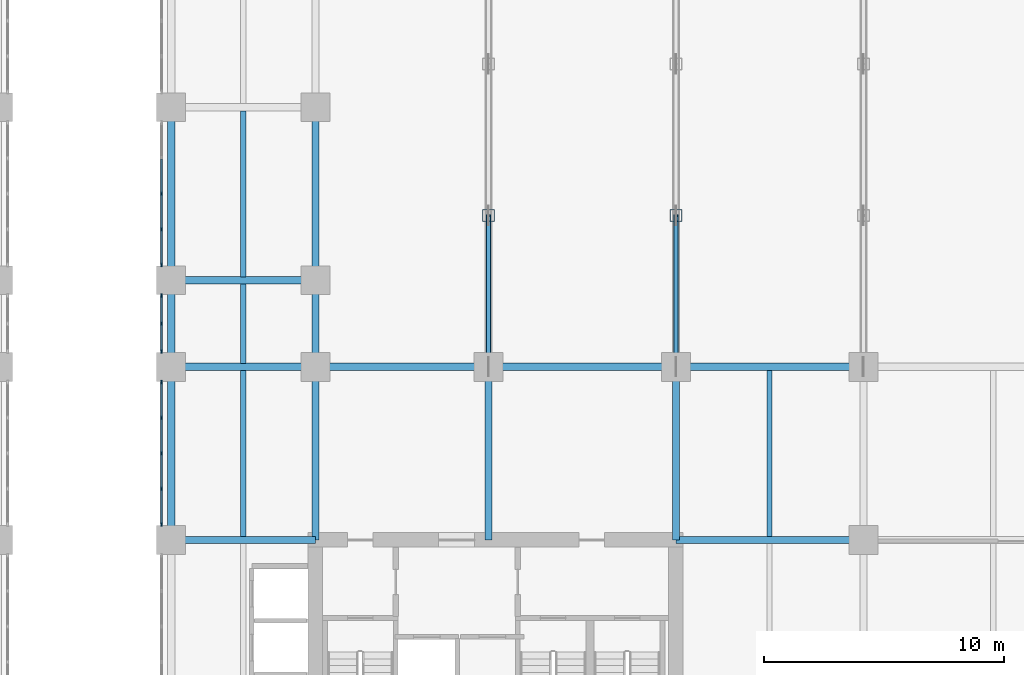
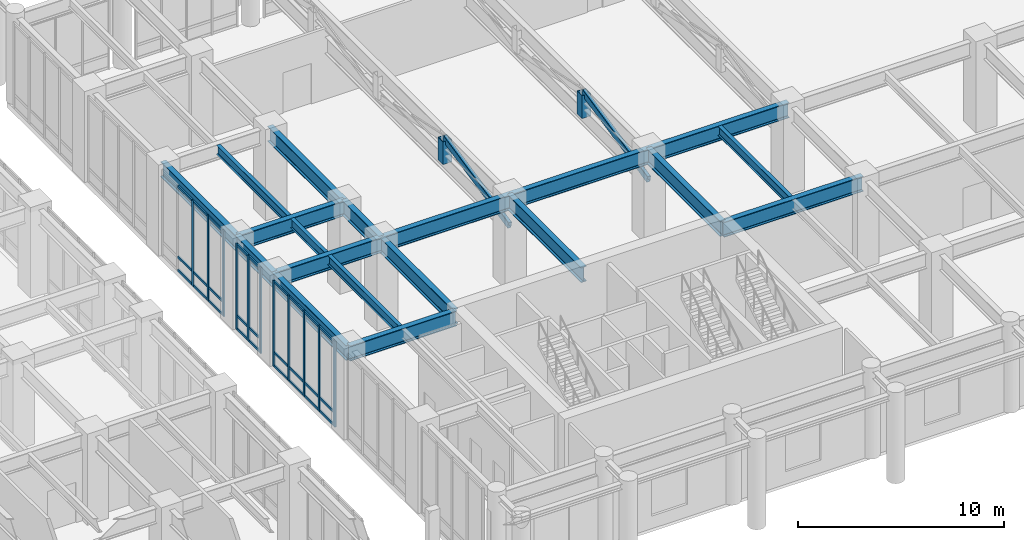
# One storey, part 5 of 24: 42 members, 19 beams, 3 elements without a shape of their own.
"""IFC4 building model written with IfcOpenShell, lengths in metres."""

from ifc_helpers import new_model, si_unit, derived_unit, direction, frame, origin, origin_2d, place, context, subcontext, project, spatial, rectangle, hollow_rectangle, i_section, extrude, source, transform, mapped, material, layer, layer_set, material_profile, profile_set, type_object, type_shapes, element, aggregate, save


model = new_model("IFC4")

# Units and contexts
model_context = context("Model", 3, precision=1e-05, world=origin(), true_north=direction((0.0, 1.0)))
body_context = subcontext(model_context, "Body", "Model", "MODEL_VIEW")
ifc_project = project(units=[si_unit("LENGTHUNIT", "METRE"), si_unit("AREAUNIT", "SQUARE_METRE"), si_unit("VOLUMEUNIT", "CUBIC_METRE"), si_unit("PLANEANGLEUNIT", "RADIAN"), si_unit("MASSUNIT", "GRAM", prefix="KILO"), si_unit("THERMODYNAMICTEMPERATUREUNIT", "KELVIN"), si_unit("POWERUNIT", "WATT"), derived_unit("THERMALTRANSMITTANCEUNIT", [(si_unit("POWERUNIT", "WATT"), 1), (si_unit("AREAUNIT", "SQUARE_METRE"), -1), (si_unit("THERMODYNAMICTEMPERATUREUNIT", "KELVIN"), -1)])], contexts=[model_context])

# Site, building, storey
site_placement = place(None, origin())
site = spatial("IfcSite", under=ifc_project, at=site_placement, CompositionType="ELEMENT")
building_placement = place(site_placement, origin())
building = spatial("IfcBuilding", under=site, at=building_placement, Name="Zahravan Archway Hotel and Residences", CompositionType="ELEMENT")
storey_placement = place(building_placement, frame((0.0, 0.0, 10.800048828125)))
storey = spatial("IfcBuildingStorey", under=building, at=storey_placement, Name="L02", CompositionType="ELEMENT", Elevation=10.800048828125)

# Beams
ifc_material_1 = material(Name="Structural Steel S355J2", Category="steel")
ifc_material_profile_1 = material_profile(ifc_material_1, i_section(OverallWidth=0.300048828125, OverallDepth=0.89990234375, WebThickness=0.0185546875, FlangeThickness=0.034912109375, FilletRadius=0.030029296875, at=origin_2d()), Name="HEB 900", Category="steel")
ifc_profile_set_1 = profile_set([ifc_material_profile_1], Name="Structural Steel S355J2")
beam_type_1 = type_object("IfcBeamType", Name="BM-PRI-HEB900", PredefinedType="BEAM", material=ifc_profile_set_1)
shared_shape_1 = source(origin(), body_context, "Body", "SweptSolid", [
    extrude(i_section(OverallWidth=0.300048828125, OverallDepth=0.89990234375, WebThickness=0.0185546875, FlangeThickness=0.034912109375, FilletRadius=0.030029296875, at=origin_2d()), origin(), (0.0, 0.0, 1.0), 7.199951171875),
])
for number, where, z_axis, x_axis, name in (
    (1, (34.800048828125, 21.60009765625, 4.64990234375), (1.0, 0.0, 0.0), (0.0, 1.0, 0.0), "L02 Primary Girder EW-32"),
    (2, (28.800048828125, 25.199951171875, 4.64990234375), (0.0, 1.0, 0.0), (-1.0, 0.0, 0.0), "L02 Primary Girder NS-99"),
    (3, (34.800048828125, 25.199951171875, 4.64990234375), (0.0, 1.0, 0.0), (-1.0, 0.0, 0.0), "L02 Primary Girder NS-104"),
):
    element("IfcBeam", number, at=place(storey_placement, frame(where, z_axis=z_axis, x_axis=x_axis)), inside=storey, type_object=beam_type_1, Name=name, PredefinedType="BEAM", context=body_context, shape_type="MappedRepresentation", body=[
        mapped(shared_shape_1, transform((0.0, 0.0, 0.0), scale=1.0)),
    ])
shared_shape_2 = source(origin(), body_context, "Body", "SweptSolid", [
    extrude(i_section(OverallWidth=0.300048828125, OverallDepth=0.89990234375, WebThickness=0.0185546875, FlangeThickness=0.034912109375, FilletRadius=0.030029296875, at=origin_2d()), origin(), (0.0, 0.0, 1.0), 7.2001953125),
])
for number, where, z_axis, x_axis, name in (
    (4, (28.800048828125, 14.39990234375, 4.64990234375), (0.0, 1.0, 0.0), (-1.0, 0.0, 0.0), "L02 Primary Girder NS-97"),
    (5, (34.800048828125, 14.39990234375, 4.64990234375), (0.0, 1.0, 0.0), (-1.0, 0.0, 0.0), "L02 Primary Girder NS-102"),
    (6, (42.0, 14.39990234375, 4.64990234375), (0.0, 1.0, 0.0), (-1.0, 0.0, 0.0), "L02 Primary Girder NS-107"),
    (7, (49.800048828125, 14.39990234375, 4.64990234375), (0.0, 1.0, 0.0), (-1.0, 0.0, 0.0), "L02 Primary Girder NS-108"),
):
    element("IfcBeam", number, at=place(storey_placement, frame(where, z_axis=z_axis, x_axis=x_axis)), inside=storey, type_object=beam_type_1, Name=name, PredefinedType="BEAM", context=body_context, shape_type="MappedRepresentation", body=[
        mapped(shared_shape_2, transform((0.0, 0.0, 0.0), scale=1.0)),
    ])
shared_shape_3 = source(origin(), body_context, "Body", "SweptSolid", [
    extrude(i_section(OverallWidth=0.300048828125, OverallDepth=0.89990234375, WebThickness=0.0185546875, FlangeThickness=0.034912109375, FilletRadius=0.030029296875, at=origin_2d()), origin(), (0.0, 0.0, 1.0), 6.0),
])
for number, where, z_axis, x_axis, name in (
    (8, (28.800048828125, 14.39990234375, 4.64990234375), (1.0, 0.0, 0.0), (0.0, 1.0, 0.0), "L02 Primary Girder EW-23"),
    (9, (28.800048828125, 21.60009765625, 4.64990234375), (1.0, 0.0, 0.0), (0.0, 1.0, 0.0), "L02 Primary Girder EW-31"),
    (10, (28.800048828125, 25.199951171875, 4.64990234375), (1.0, 0.0, 0.0), (0.0, 1.0, 0.0), "L02 Primary Girder EW-40"),
):
    element("IfcBeam", number, at=place(storey_placement, frame(where, z_axis=z_axis, x_axis=x_axis)), inside=storey, type_object=beam_type_1, Name=name, PredefinedType="BEAM", context=body_context, shape_type="MappedRepresentation", body=[
        mapped(shared_shape_3, transform((0.0, 0.0, 0.0), scale=1.0)),
    ])
shared_shape_4 = source(origin(), body_context, "Body", "SweptSolid", [
    extrude(i_section(OverallWidth=0.300048828125, OverallDepth=0.89990234375, WebThickness=0.0185546875, FlangeThickness=0.034912109375, FilletRadius=0.030029296875, at=origin_2d()), origin(), (0.0, 0.0, 1.0), 7.800048828125),
])
for number, where, z_axis, x_axis, name in (
    (11, (49.800048828125, 14.39990234375, 4.64990234375), (1.0, 0.0, 0.0), (0.0, 1.0, 0.0), "L02 Primary Girder EW-24"),
    (12, (42.0, 21.60009765625, 4.64990234375), (1.0, 0.0, 0.0), (0.0, 1.0, 0.0), "L02 Primary Girder EW-33"),
    (13, (49.800048828125, 21.60009765625, 4.64990234375), (1.0, 0.0, 0.0), (0.0, 1.0, 0.0), "L02 Primary Girder EW-34"),
):
    element("IfcBeam", number, at=place(storey_placement, frame(where, z_axis=z_axis, x_axis=x_axis)), inside=storey, type_object=beam_type_1, Name=name, PredefinedType="BEAM", context=body_context, shape_type="MappedRepresentation", body=[
        mapped(shared_shape_4, transform((0.0, 0.0, 0.0), scale=1.0)),
    ])
shared_shape_5 = source(origin(), body_context, "Body", "SweptSolid", [
    extrude(i_section(OverallWidth=0.300048828125, OverallDepth=0.89990234375, WebThickness=0.0185546875, FlangeThickness=0.034912109375, FilletRadius=0.030029296875, at=origin_2d()), origin(), (0.0, 0.0, 1.0), 3.599853515625),
])
for number, where, z_axis, x_axis, name in (
    (14, (28.800048828125, 21.60009765625, 4.64990234375), (0.0, 1.0, 0.0), (-1.0, 0.0, 0.0), "L02 Primary Girder NS-98"),
    (15, (34.800048828125, 21.60009765625, 4.64990234375), (0.0, 1.0, 0.0), (-1.0, 0.0, 0.0), "L02 Primary Girder NS-103"),
):
    element("IfcBeam", number, at=place(storey_placement, frame(where, z_axis=z_axis, x_axis=x_axis)), inside=storey, type_object=beam_type_1, Name=name, PredefinedType="BEAM", context=body_context, shape_type="MappedRepresentation", body=[
        mapped(shared_shape_5, transform((0.0, 0.0, 0.0), scale=1.0)),
    ])
ifc_material_2 = material(Name="Structural Steel S355JR", Category="steel")
ifc_material_profile_2 = material_profile(ifc_material_2, i_section(OverallWidth=0.2099609375, OverallDepth=0.550048828125, WebThickness=0.010986328125, FlangeThickness=0.01708984375, FilletRadius=0.02392578125, at=origin_2d()), Name="IPE 550", Category="steel")
ifc_profile_set_2 = profile_set([ifc_material_profile_2], Name="Structural Steel S355JR")
beam_type_2 = type_object("IfcBeamType", Name="BM-JST-IPE550", PredefinedType="JOIST", material=ifc_profile_set_2)
shared_shape_6 = source(origin(), body_context, "Body", "SweptSolid", [
    extrude(i_section(OverallWidth=0.2099609375, OverallDepth=0.550048828125, WebThickness=0.010986328125, FlangeThickness=0.01708984375, FilletRadius=0.02392578125, at=origin_2d()), origin(), (0.0, 0.0, 1.0), 6.904052734375),
])
type_shapes(beam_type_2, [shared_shape_6])
beam_1_placement = place(storey_placement, frame((31.800048828125, 25.347900390625, 4.824951171875), z_axis=(0.0, 1.0, 0.0), x_axis=(-1.0, 0.0, 0.0)))
element("IfcBeam", 16, at=beam_1_placement, inside=storey, type_object=beam_type_2, Name="L02 Composite Floor Joist 29", PredefinedType="JOIST", context=body_context, shape_type="MappedRepresentation", body=[
    mapped(shared_shape_6, transform((0.0, 0.0, 0.0), scale=1.0)),
])
shared_shape_7 = source(origin(), body_context, "Body", "SweptSolid", [
    extrude(i_section(OverallWidth=0.2099609375, OverallDepth=0.550048828125, WebThickness=0.010986328125, FlangeThickness=0.01708984375, FilletRadius=0.02392578125, at=origin_2d()), origin(), (0.0, 0.0, 1.0), 6.90380859375),
])
for number, where, z_axis, x_axis, name in (
    (17, (31.800048828125, 14.548095703125, 4.824951171875), (0.0, 1.0, 0.0), (-1.0, 0.0, 0.0), "L02 Composite Floor Joist 21"),
    (18, (53.699951171875, 14.548095703125, 4.824951171875), (0.0, 1.0, 0.0), (-1.0, 0.0, 0.0), "L02 Composite Floor Joist 22"),
):
    element("IfcBeam", number, at=place(storey_placement, frame(where, z_axis=z_axis, x_axis=x_axis)), inside=storey, type_object=beam_type_2, Name=name, PredefinedType="JOIST", context=body_context, shape_type="MappedRepresentation", body=[
        mapped(shared_shape_7, transform((0.0, 0.0, 0.0), scale=1.0)),
    ])
shared_shape_8 = source(origin(), body_context, "Body", "SweptSolid", [
    extrude(i_section(OverallWidth=0.2099609375, OverallDepth=0.550048828125, WebThickness=0.010986328125, FlangeThickness=0.01708984375, FilletRadius=0.02392578125, at=origin_2d()), origin(), (0.0, 0.0, 1.0), 3.303955078125),
])
beam_2_placement = place(storey_placement, frame((31.800048828125, 21.748046875, 4.824951171875), z_axis=(0.0, 1.0, 0.0), x_axis=(-1.0, 0.0, 0.0)))
element("IfcBeam", 19, at=beam_2_placement, inside=storey, type_object=beam_type_2, Name="L02 Composite Floor Joist 27", PredefinedType="JOIST", context=body_context, shape_type="MappedRepresentation", body=[
    mapped(shared_shape_8, transform((0.0, 0.0, 0.0), scale=1.0)),
])

# Members
ifc_material_3 = material(Name="Structural Steel S460M", Category="steel")
ifc_material_profile_3 = material_profile(ifc_material_3, hollow_rectangle(XDim=0.5, YDim=0.5, WallThickness=0.02490234375, at=origin_2d()), Name="SHS 500x500x25", Category="steel")
ifc_profile_set_3 = profile_set([ifc_material_profile_3], Name="Structural Steel S460M")
member_type_1 = type_object("IfcMemberType", Name="MEM-POST-SHS500", PredefinedType="POST", material=ifc_profile_set_3)
shared_shape_9 = source(origin(), body_context, "Body", "SweptSolid", [
    extrude(hollow_rectangle(XDim=0.5, YDim=0.5, WallThickness=0.02490234375, at=origin_2d()), origin(), (0.0, 0.0, 1.0), 1.35009765625),
])
type_shapes(member_type_1, [shared_shape_9])
for number, where, z_axis, x_axis, name in (
    (20, (42.0, 27.89990234375, 3.199951171875), (0.0, 0.0, 1.0), (1.0, 0.0, 0.0), "L02 Long-Span Truss 1 Post 1"),
    (21, (49.800048828125, 27.89990234375, 3.199951171875), (0.0, 0.0, 1.0), (1.0, 0.0, 0.0), "L02 Long-Span Truss 2 Post 1"),
):
    element("IfcMember", number, at=place(storey_placement, frame(where, z_axis=z_axis, x_axis=x_axis)), inside=storey, type_object=member_type_1, Name=name, PredefinedType="POST", context=body_context, shape_type="MappedRepresentation", body=[
        mapped(shared_shape_9, transform((0.0, 0.0, 0.0), scale=1.0)),
    ])
ifc_material_profile_4 = material_profile(ifc_material_1, hollow_rectangle(XDim=0.199951171875, YDim=0.39990234375, WallThickness=0.01611328125, InnerFilletRadius=0.01611328125, OuterFilletRadius=0.031982421875, at=origin_2d()), Name="RHS 400x200x16", Category="steel")
ifc_profile_set_4 = profile_set([ifc_material_profile_4], Name="Structural Steel S355J2")
member_type_2 = type_object("IfcMemberType", Name="MEM-DIAG-RHS400", PredefinedType="BRACE", material=ifc_profile_set_4)
shared_shape_10 = source(origin(), body_context, "Body", "SweptSolid", [
    extrude(hollow_rectangle(XDim=0.199951171875, YDim=0.39990234375, WallThickness=0.01611328125, InnerFilletRadius=0.01611328125, OuterFilletRadius=0.031982421875, at=origin_2d()), origin(), (0.0, 0.0, 1.0), 6.44287109375),
])
type_shapes(member_type_2, [shared_shape_10])
for number, where, z_axis, x_axis, name in (
    (22, (42.0, 21.60009765625, 3.199951171875), (0.0, 0.977797977573, 0.209549791349), (-1.0, 0.0, 0.0), "L02 Long-Span Truss 1 Diagonal 1"),
    (23, (49.800048828125, 21.60009765625, 3.199951171875), (0.0, 0.977797977573, 0.209549791349), (-1.0, 0.0, 0.0), "L02 Long-Span Truss 2 Diagonal 1"),
):
    element("IfcMember", number, at=place(storey_placement, frame(where, z_axis=z_axis, x_axis=x_axis)), inside=storey, type_object=member_type_2, Name=name, PredefinedType="BRACE", context=body_context, shape_type="MappedRepresentation", body=[
        mapped(shared_shape_10, transform((0.0, 0.0, 0.0), scale=1.0)),
    ])

# Curtain wall, members
ifc_material_4 = material(Name="Bronze-Anodized Unitised Aluminium & Low-E Glass", Category="aluminium")
ifc_layer = layer(ifc_material_4, 0.179931640625, Name="Bronze-Anodized Unitised Aluminium & Low-E Glass", Category="aluminium")
ifc_layer_set = layer_set([ifc_layer], Name="Bronze-Anodized Unitised Aluminium & Low-E Glass")
curtain_wall_type = type_object("IfcCurtainWallType", Name="CW-POD-ARCH", PredefinedType="NOTDEFINED", material=ifc_layer_set)
curtain_wall_1_placement = place(storey_placement, origin())
curtain_wall_1 = element("IfcCurtainWall", 24, at=curtain_wall_1_placement, inside=storey, type_object=curtain_wall_type, Name="L02 Curtain Wall CW-PORTE-L02-5", PredefinedType="NOTDEFINED")
ifc_material_5 = material(Name="Bronze-Anodized Extruded Aluminium", Category="aluminium")
ifc_material_profile_5 = material_profile(ifc_material_5, rectangle(XDim=0.080078125, YDim=0.139892578125, at=origin_2d()), Name="TRN 80x140", Category="aluminium")
ifc_profile_set_5 = profile_set([ifc_material_profile_5], Name="Bronze-Anodized Extruded Aluminium")
member_type_3 = type_object("IfcMemberType", Name="CWM-TRN-140", PredefinedType="USERDEFINED", material=ifc_profile_set_5)
shared_shape_11 = source(origin(), body_context, "Body", "SweptSolid", [
    extrude(rectangle(XDim=0.080078125, YDim=0.139892578125, at=origin_2d()), origin(), (0.0, 0.0, 1.0), 1.397216796875),
])
member_1_placement = place(storey_placement, frame((28.39990234375, 28.840087890625, 0.070068359375), z_axis=(0.0, 1.0, 0.0), x_axis=(-1.0, 0.0, 0.0)))
member_1 = element("IfcMember", 25, at=member_1_placement, type_object=member_type_3, Name="CW-PORTE-L02-5 Transom 2-1", ObjectType="TRANSOM", PredefinedType="USERDEFINED", context=body_context, shape_type="MappedRepresentation", body=[
    mapped(shared_shape_11, transform((0.0, 0.0, 0.0), scale=1.0)),
])
member_2_placement = place(storey_placement, frame((28.39990234375, 28.840087890625, 0.849853515625), z_axis=(0.0, 1.0, 0.0), x_axis=(-1.0, 0.0, 0.0)))
member_2 = element("IfcMember", 26, at=member_2_placement, type_object=member_type_3, Name="CW-PORTE-L02-5 Transom 2-2", ObjectType="TRANSOM", PredefinedType="USERDEFINED", context=body_context, shape_type="MappedRepresentation", body=[
    mapped(shared_shape_11, transform((0.0, 0.0, 0.0), scale=1.0)),
])
member_3_placement = place(storey_placement, frame((28.39990234375, 28.840087890625, 5.030029296875), z_axis=(0.0, 1.0, 0.0), x_axis=(-1.0, 0.0, 0.0)))
member_3 = element("IfcMember", 27, at=member_3_placement, type_object=member_type_3, Name="CW-PORTE-L02-5 Transom 2-3", ObjectType="TRANSOM", PredefinedType="USERDEFINED", context=body_context, shape_type="MappedRepresentation", body=[
    mapped(shared_shape_11, transform((0.0, 0.0, 0.0), scale=1.0)),
])

curtain_wall_2_placement = place(storey_placement, origin())
curtain_wall_2 = element("IfcCurtainWall", 28, at=curtain_wall_2_placement, inside=storey, type_object=curtain_wall_type, Name="L02 Curtain Wall CW-PORTE-L02-3", PredefinedType="NOTDEFINED")
shared_shape_12 = source(origin(), body_context, "Body", "SweptSolid", [
    extrude(rectangle(XDim=0.080078125, YDim=0.139892578125, at=origin_2d()), origin(), (0.0, 0.0, 1.0), 1.3974609375),
])
member_4_placement = place(storey_placement, frame((28.39990234375, 15.085205078125, 0.070068359375), z_axis=(0.0, 1.0, 0.0), x_axis=(-1.0, 0.0, 0.0)))
member_4 = element("IfcMember", 29, at=member_4_placement, type_object=member_type_3, Name="CW-PORTE-L02-3 Transom 0-1", ObjectType="TRANSOM", PredefinedType="USERDEFINED", context=body_context, shape_type="MappedRepresentation", body=[
    mapped(shared_shape_12, transform((0.0, 0.0, 0.0), scale=1.0)),
])
member_5_placement = place(storey_placement, frame((28.39990234375, 15.085205078125, 0.849853515625), z_axis=(0.0, 1.0, 0.0), x_axis=(-1.0, 0.0, 0.0)))
member_5 = element("IfcMember", 30, at=member_5_placement, type_object=member_type_3, Name="CW-PORTE-L02-3 Transom 0-2", ObjectType="TRANSOM", PredefinedType="USERDEFINED", context=body_context, shape_type="MappedRepresentation", body=[
    mapped(shared_shape_12, transform((0.0, 0.0, 0.0), scale=1.0)),
])
member_6_placement = place(storey_placement, frame((28.39990234375, 15.085205078125, 5.030029296875), z_axis=(0.0, 1.0, 0.0), x_axis=(-1.0, 0.0, 0.0)))
member_6 = element("IfcMember", 31, at=member_6_placement, type_object=member_type_3, Name="CW-PORTE-L02-3 Transom 0-3", ObjectType="TRANSOM", PredefinedType="USERDEFINED", context=body_context, shape_type="MappedRepresentation", body=[
    mapped(shared_shape_12, transform((0.0, 0.0, 0.0), scale=1.0)),
])
member_7_placement = place(storey_placement, frame((28.39990234375, 16.5625, 0.070068359375), z_axis=(0.0, 1.0, 0.0), x_axis=(-1.0, 0.0, 0.0)))
member_7 = element("IfcMember", 32, at=member_7_placement, type_object=member_type_3, Name="CW-PORTE-L02-3 Transom 1-1", ObjectType="TRANSOM", PredefinedType="USERDEFINED", context=body_context, shape_type="MappedRepresentation", body=[
    mapped(shared_shape_12, transform((0.0, 0.0, 0.0), scale=1.0)),
])
member_8_placement = place(storey_placement, frame((28.39990234375, 16.5625, 0.849853515625), z_axis=(0.0, 1.0, 0.0), x_axis=(-1.0, 0.0, 0.0)))
member_8 = element("IfcMember", 33, at=member_8_placement, type_object=member_type_3, Name="CW-PORTE-L02-3 Transom 1-2", ObjectType="TRANSOM", PredefinedType="USERDEFINED", context=body_context, shape_type="MappedRepresentation", body=[
    mapped(shared_shape_12, transform((0.0, 0.0, 0.0), scale=1.0)),
])
member_9_placement = place(storey_placement, frame((28.39990234375, 16.5625, 5.030029296875), z_axis=(0.0, 1.0, 0.0), x_axis=(-1.0, 0.0, 0.0)))
member_9 = element("IfcMember", 34, at=member_9_placement, type_object=member_type_3, Name="CW-PORTE-L02-3 Transom 1-3", ObjectType="TRANSOM", PredefinedType="USERDEFINED", context=body_context, shape_type="MappedRepresentation", body=[
    mapped(shared_shape_12, transform((0.0, 0.0, 0.0), scale=1.0)),
])
member_10_placement = place(storey_placement, frame((28.39990234375, 18.0400390625, 0.070068359375), z_axis=(0.0, 1.0, 0.0), x_axis=(-1.0, 0.0, 0.0)))
member_10 = element("IfcMember", 35, at=member_10_placement, type_object=member_type_3, Name="CW-PORTE-L02-3 Transom 2-1", ObjectType="TRANSOM", PredefinedType="USERDEFINED", context=body_context, shape_type="MappedRepresentation", body=[
    mapped(shared_shape_12, transform((0.0, 0.0, 0.0), scale=1.0)),
])
member_11_placement = place(storey_placement, frame((28.39990234375, 18.0400390625, 0.849853515625), z_axis=(0.0, 1.0, 0.0), x_axis=(-1.0, 0.0, 0.0)))
member_11 = element("IfcMember", 36, at=member_11_placement, type_object=member_type_3, Name="CW-PORTE-L02-3 Transom 2-2", ObjectType="TRANSOM", PredefinedType="USERDEFINED", context=body_context, shape_type="MappedRepresentation", body=[
    mapped(shared_shape_12, transform((0.0, 0.0, 0.0), scale=1.0)),
])
member_12_placement = place(storey_placement, frame((28.39990234375, 18.0400390625, 5.030029296875), z_axis=(0.0, 1.0, 0.0), x_axis=(-1.0, 0.0, 0.0)))
member_12 = element("IfcMember", 37, at=member_12_placement, type_object=member_type_3, Name="CW-PORTE-L02-3 Transom 2-3", ObjectType="TRANSOM", PredefinedType="USERDEFINED", context=body_context, shape_type="MappedRepresentation", body=[
    mapped(shared_shape_12, transform((0.0, 0.0, 0.0), scale=1.0)),
])
member_13_placement = place(storey_placement, frame((28.39990234375, 19.517333984375, 0.070068359375), z_axis=(0.0, 1.0, 0.0), x_axis=(-1.0, 0.0, 0.0)))
member_13 = element("IfcMember", 38, at=member_13_placement, type_object=member_type_3, Name="CW-PORTE-L02-3 Transom 3-1", ObjectType="TRANSOM", PredefinedType="USERDEFINED", context=body_context, shape_type="MappedRepresentation", body=[
    mapped(shared_shape_12, transform((0.0, 0.0, 0.0), scale=1.0)),
])
member_14_placement = place(storey_placement, frame((28.39990234375, 19.517333984375, 0.849853515625), z_axis=(0.0, 1.0, 0.0), x_axis=(-1.0, 0.0, 0.0)))
member_14 = element("IfcMember", 39, at=member_14_placement, type_object=member_type_3, Name="CW-PORTE-L02-3 Transom 3-2", ObjectType="TRANSOM", PredefinedType="USERDEFINED", context=body_context, shape_type="MappedRepresentation", body=[
    mapped(shared_shape_12, transform((0.0, 0.0, 0.0), scale=1.0)),
])
member_15_placement = place(storey_placement, frame((28.39990234375, 19.517333984375, 5.030029296875), z_axis=(0.0, 1.0, 0.0), x_axis=(-1.0, 0.0, 0.0)))
member_15 = element("IfcMember", 40, at=member_15_placement, type_object=member_type_3, Name="CW-PORTE-L02-3 Transom 3-3", ObjectType="TRANSOM", PredefinedType="USERDEFINED", context=body_context, shape_type="MappedRepresentation", body=[
    mapped(shared_shape_12, transform((0.0, 0.0, 0.0), scale=1.0)),
])

# Member
member_16_placement = place(storey_placement, frame((28.39990234375, 25.88525390625, 0.070068359375), z_axis=(0.0, 1.0, 0.0), x_axis=(-1.0, 0.0, 0.0)))
member_16 = element("IfcMember", 41, at=member_16_placement, type_object=member_type_3, Name="CW-PORTE-L02-5 Transom 0-1", ObjectType="TRANSOM", PredefinedType="USERDEFINED", context=body_context, shape_type="MappedRepresentation", body=[
    mapped(shared_shape_12, transform((0.0, 0.0, 0.0), scale=1.0)),
])

member_17_placement = place(storey_placement, frame((28.39990234375, 25.88525390625, 0.849853515625), z_axis=(0.0, 1.0, 0.0), x_axis=(-1.0, 0.0, 0.0)))
member_17 = element("IfcMember", 42, at=member_17_placement, type_object=member_type_3, Name="CW-PORTE-L02-5 Transom 0-2", ObjectType="TRANSOM", PredefinedType="USERDEFINED", context=body_context, shape_type="MappedRepresentation", body=[
    mapped(shared_shape_12, transform((0.0, 0.0, 0.0), scale=1.0)),
])

member_18_placement = place(storey_placement, frame((28.39990234375, 25.88525390625, 5.030029296875), z_axis=(0.0, 1.0, 0.0), x_axis=(-1.0, 0.0, 0.0)))
member_18 = element("IfcMember", 43, at=member_18_placement, type_object=member_type_3, Name="CW-PORTE-L02-5 Transom 0-3", ObjectType="TRANSOM", PredefinedType="USERDEFINED", context=body_context, shape_type="MappedRepresentation", body=[
    mapped(shared_shape_12, transform((0.0, 0.0, 0.0), scale=1.0)),
])

member_19_placement = place(storey_placement, frame((28.39990234375, 27.362548828125, 0.070068359375), z_axis=(0.0, 1.0, 0.0), x_axis=(-1.0, 0.0, 0.0)))
member_19 = element("IfcMember", 44, at=member_19_placement, type_object=member_type_3, Name="CW-PORTE-L02-5 Transom 1-1", ObjectType="TRANSOM", PredefinedType="USERDEFINED", context=body_context, shape_type="MappedRepresentation", body=[
    mapped(shared_shape_12, transform((0.0, 0.0, 0.0), scale=1.0)),
])

member_20_placement = place(storey_placement, frame((28.39990234375, 27.362548828125, 0.849853515625), z_axis=(0.0, 1.0, 0.0), x_axis=(-1.0, 0.0, 0.0)))
member_20 = element("IfcMember", 45, at=member_20_placement, type_object=member_type_3, Name="CW-PORTE-L02-5 Transom 1-2", ObjectType="TRANSOM", PredefinedType="USERDEFINED", context=body_context, shape_type="MappedRepresentation", body=[
    mapped(shared_shape_12, transform((0.0, 0.0, 0.0), scale=1.0)),
])

member_21_placement = place(storey_placement, frame((28.39990234375, 27.362548828125, 5.030029296875), z_axis=(0.0, 1.0, 0.0), x_axis=(-1.0, 0.0, 0.0)))
member_21 = element("IfcMember", 46, at=member_21_placement, type_object=member_type_3, Name="CW-PORTE-L02-5 Transom 1-3", ObjectType="TRANSOM", PredefinedType="USERDEFINED", context=body_context, shape_type="MappedRepresentation", body=[
    mapped(shared_shape_12, transform((0.0, 0.0, 0.0), scale=1.0)),
])

# Curtain wall, members
curtain_wall_3_placement = place(storey_placement, origin())
curtain_wall_3 = element("IfcCurtainWall", 47, at=curtain_wall_3_placement, inside=storey, type_object=curtain_wall_type, Name="L02 Curtain Wall CW-PORTE-L02-4", PredefinedType="NOTDEFINED")
shared_shape_13 = source(origin(), body_context, "Body", "SweptSolid", [
    extrude(rectangle(XDim=0.080078125, YDim=0.139892578125, at=origin_2d()), origin(), (0.0, 0.0, 1.0), 1.074951171875),
])
member_22_placement = place(storey_placement, frame((28.39990234375, 22.28515625, 0.070068359375), z_axis=(0.0, 1.0, 0.0), x_axis=(-1.0, 0.0, 0.0)))
member_22 = element("IfcMember", 48, at=member_22_placement, type_object=member_type_3, Name="CW-PORTE-L02-4 Transom 0-1", ObjectType="TRANSOM", PredefinedType="USERDEFINED", context=body_context, shape_type="MappedRepresentation", body=[
    mapped(shared_shape_13, transform((0.0, 0.0, 0.0), scale=1.0)),
])
member_23_placement = place(storey_placement, frame((28.39990234375, 22.28515625, 0.849853515625), z_axis=(0.0, 1.0, 0.0), x_axis=(-1.0, 0.0, 0.0)))
member_23 = element("IfcMember", 49, at=member_23_placement, type_object=member_type_3, Name="CW-PORTE-L02-4 Transom 0-2", ObjectType="TRANSOM", PredefinedType="USERDEFINED", context=body_context, shape_type="MappedRepresentation", body=[
    mapped(shared_shape_13, transform((0.0, 0.0, 0.0), scale=1.0)),
])
member_24_placement = place(storey_placement, frame((28.39990234375, 22.28515625, 5.030029296875), z_axis=(0.0, 1.0, 0.0), x_axis=(-1.0, 0.0, 0.0)))
member_24 = element("IfcMember", 50, at=member_24_placement, type_object=member_type_3, Name="CW-PORTE-L02-4 Transom 0-3", ObjectType="TRANSOM", PredefinedType="USERDEFINED", context=body_context, shape_type="MappedRepresentation", body=[
    mapped(shared_shape_13, transform((0.0, 0.0, 0.0), scale=1.0)),
])
member_25_placement = place(storey_placement, frame((28.39990234375, 23.43994140625, 0.070068359375), z_axis=(0.0, 1.0, 0.0), x_axis=(-1.0, 0.0, 0.0)))
member_25 = element("IfcMember", 51, at=member_25_placement, type_object=member_type_3, Name="CW-PORTE-L02-4 Transom 1-1", ObjectType="TRANSOM", PredefinedType="USERDEFINED", context=body_context, shape_type="MappedRepresentation", body=[
    mapped(shared_shape_13, transform((0.0, 0.0, 0.0), scale=1.0)),
])
member_26_placement = place(storey_placement, frame((28.39990234375, 23.43994140625, 0.849853515625), z_axis=(0.0, 1.0, 0.0), x_axis=(-1.0, 0.0, 0.0)))
member_26 = element("IfcMember", 52, at=member_26_placement, type_object=member_type_3, Name="CW-PORTE-L02-4 Transom 1-2", ObjectType="TRANSOM", PredefinedType="USERDEFINED", context=body_context, shape_type="MappedRepresentation", body=[
    mapped(shared_shape_13, transform((0.0, 0.0, 0.0), scale=1.0)),
])
member_27_placement = place(storey_placement, frame((28.39990234375, 23.43994140625, 5.030029296875), z_axis=(0.0, 1.0, 0.0), x_axis=(-1.0, 0.0, 0.0)))
member_27 = element("IfcMember", 53, at=member_27_placement, type_object=member_type_3, Name="CW-PORTE-L02-4 Transom 1-3", ObjectType="TRANSOM", PredefinedType="USERDEFINED", context=body_context, shape_type="MappedRepresentation", body=[
    mapped(shared_shape_13, transform((0.0, 0.0, 0.0), scale=1.0)),
])

# Member
ifc_material_profile_6 = material_profile(ifc_material_5, rectangle(XDim=0.080078125, YDim=0.159912109375, at=origin_2d()), Name="MUL 80x160", Category="aluminium")
ifc_profile_set_6 = profile_set([ifc_material_profile_6], Name="Bronze-Anodized Extruded Aluminium")
member_type_4 = type_object("IfcMemberType", Name="CWM-MUL-160", PredefinedType="MULLION", material=ifc_profile_set_6)
shared_shape_14 = source(origin(), body_context, "Body", "SweptSolid", [
    extrude(rectangle(XDim=0.080078125, YDim=0.159912109375, at=origin_2d()), origin(), (0.0, 0.0, 1.0), 5.099853515625),
])
member_28_placement = place(storey_placement, frame((28.39990234375, 15.045166015625, 0.0), z_axis=(0.0, 0.0, 1.0), x_axis=(1.0, 0.0, 0.0)))
member_28 = element("IfcMember", 54, at=member_28_placement, type_object=member_type_4, Name="CW-PORTE-L02-3 Mullion 0", PredefinedType="MULLION", context=body_context, shape_type="MappedRepresentation", body=[
    mapped(shared_shape_14, transform((0.0, 0.0, 0.0), scale=1.0)),
])

member_29_placement = place(storey_placement, frame((28.39990234375, 16.522705078125, 0.0), z_axis=(0.0, 0.0, 1.0), x_axis=(1.0, 0.0, 0.0)))
member_29 = element("IfcMember", 55, at=member_29_placement, type_object=member_type_4, Name="CW-PORTE-L02-3 Mullion 1", PredefinedType="MULLION", context=body_context, shape_type="MappedRepresentation", body=[
    mapped(shared_shape_14, transform((0.0, 0.0, 0.0), scale=1.0)),
])

member_30_placement = place(storey_placement, frame((28.39990234375, 18.0, 0.0), z_axis=(0.0, 0.0, 1.0), x_axis=(1.0, 0.0, 0.0)))
member_30 = element("IfcMember", 56, at=member_30_placement, type_object=member_type_4, Name="CW-PORTE-L02-3 Mullion 2", PredefinedType="MULLION", context=body_context, shape_type="MappedRepresentation", body=[
    mapped(shared_shape_14, transform((0.0, 0.0, 0.0), scale=1.0)),
])

member_31_placement = place(storey_placement, frame((28.39990234375, 19.477294921875, 0.0), z_axis=(0.0, 0.0, 1.0), x_axis=(1.0, 0.0, 0.0)))
member_31 = element("IfcMember", 57, at=member_31_placement, type_object=member_type_4, Name="CW-PORTE-L02-3 Mullion 3", PredefinedType="MULLION", context=body_context, shape_type="MappedRepresentation", body=[
    mapped(shared_shape_14, transform((0.0, 0.0, 0.0), scale=1.0)),
])

member_32_placement = place(storey_placement, frame((28.39990234375, 20.954833984375, 0.0), z_axis=(0.0, 0.0, 1.0), x_axis=(1.0, 0.0, 0.0)))
member_32 = element("IfcMember", 58, at=member_32_placement, type_object=member_type_4, Name="CW-PORTE-L02-3 Mullion 4", PredefinedType="MULLION", context=body_context, shape_type="MappedRepresentation", body=[
    mapped(shared_shape_14, transform((0.0, 0.0, 0.0), scale=1.0)),
])

aggregate(curtain_wall_2, [member_28, member_29, member_30, member_31, member_32, member_4, member_5, member_6, member_7, member_8, member_9, member_10, member_11, member_12, member_13, member_14, member_15])

member_33_placement = place(storey_placement, frame((28.39990234375, 22.2451171875, 0.0), z_axis=(0.0, 0.0, 1.0), x_axis=(1.0, 0.0, 0.0)))
member_33 = element("IfcMember", 59, at=member_33_placement, type_object=member_type_4, Name="CW-PORTE-L02-4 Mullion 0", PredefinedType="MULLION", context=body_context, shape_type="MappedRepresentation", body=[
    mapped(shared_shape_14, transform((0.0, 0.0, 0.0), scale=1.0)),
])

member_34_placement = place(storey_placement, frame((28.39990234375, 23.39990234375, 0.0), z_axis=(0.0, 0.0, 1.0), x_axis=(1.0, 0.0, 0.0)))
member_34 = element("IfcMember", 60, at=member_34_placement, type_object=member_type_4, Name="CW-PORTE-L02-4 Mullion 1", PredefinedType="MULLION", context=body_context, shape_type="MappedRepresentation", body=[
    mapped(shared_shape_14, transform((0.0, 0.0, 0.0), scale=1.0)),
])

member_35_placement = place(storey_placement, frame((28.39990234375, 24.5546875, 0.0), z_axis=(0.0, 0.0, 1.0), x_axis=(1.0, 0.0, 0.0)))
member_35 = element("IfcMember", 61, at=member_35_placement, type_object=member_type_4, Name="CW-PORTE-L02-4 Mullion 2", PredefinedType="MULLION", context=body_context, shape_type="MappedRepresentation", body=[
    mapped(shared_shape_14, transform((0.0, 0.0, 0.0), scale=1.0)),
])

aggregate(curtain_wall_3, [member_33, member_34, member_35, member_22, member_23, member_24, member_25, member_26, member_27])

member_36_placement = place(storey_placement, frame((28.39990234375, 25.84521484375, 0.0), z_axis=(0.0, 0.0, 1.0), x_axis=(1.0, 0.0, 0.0)))
member_36 = element("IfcMember", 62, at=member_36_placement, type_object=member_type_4, Name="CW-PORTE-L02-5 Mullion 0", PredefinedType="MULLION", context=body_context, shape_type="MappedRepresentation", body=[
    mapped(shared_shape_14, transform((0.0, 0.0, 0.0), scale=1.0)),
])

member_37_placement = place(storey_placement, frame((28.39990234375, 27.322509765625, 0.0), z_axis=(0.0, 0.0, 1.0), x_axis=(1.0, 0.0, 0.0)))
member_37 = element("IfcMember", 63, at=member_37_placement, type_object=member_type_4, Name="CW-PORTE-L02-5 Mullion 1", PredefinedType="MULLION", context=body_context, shape_type="MappedRepresentation", body=[
    mapped(shared_shape_14, transform((0.0, 0.0, 0.0), scale=1.0)),
])

member_38_placement = place(storey_placement, frame((28.39990234375, 28.800048828125, 0.0), z_axis=(0.0, 0.0, 1.0), x_axis=(1.0, 0.0, 0.0)))
member_38 = element("IfcMember", 64, at=member_38_placement, type_object=member_type_4, Name="CW-PORTE-L02-5 Mullion 2", PredefinedType="MULLION", context=body_context, shape_type="MappedRepresentation", body=[
    mapped(shared_shape_14, transform((0.0, 0.0, 0.0), scale=1.0)),
])

aggregate(curtain_wall_1, [member_36, member_37, member_38, member_16, member_17, member_18, member_19, member_20, member_21, member_1, member_2, member_3])

save(model, "model.ifc")
